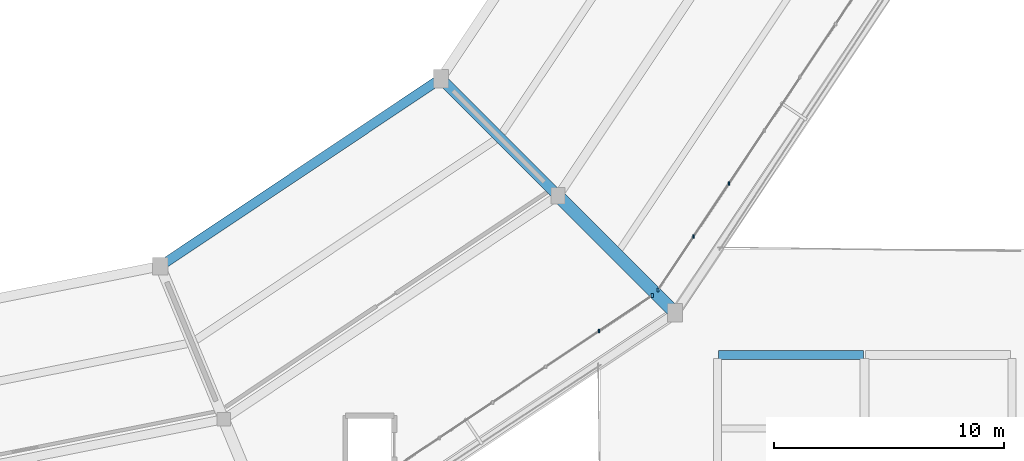
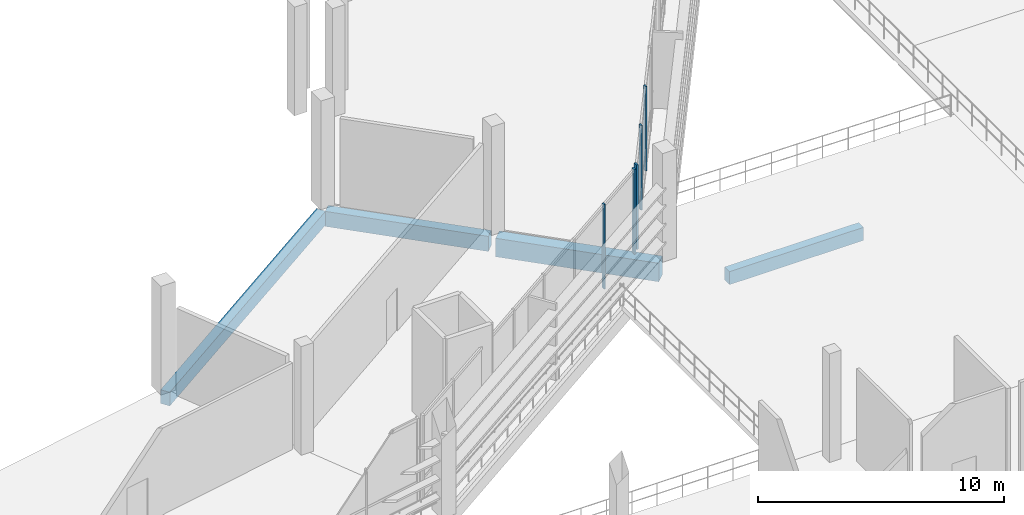
# One storey, part 36 of 111: 5 members, 4 beams, 2 elements without a shape of their own.
"""IFC4 building model written with IfcOpenShell, lengths in metres."""

from ifc_helpers import new_model, si_unit, direction, frame, origin, origin_2d, place, context, subcontext, project, spatial, rectangle, extrude, material, material_profile, profile_set, type_object, element, aggregate, save


model = new_model("IFC4")

# Units and contexts
model_context = context("Model", 3, precision=1e-05, world=origin(), true_north=direction((0.0, 1.0)))
body_context = subcontext(model_context, "Body", "Model", "MODEL_VIEW")
ifc_project = project(units=[si_unit("LENGTHUNIT", "METRE"), si_unit("AREAUNIT", "SQUARE_METRE"), si_unit("VOLUMEUNIT", "CUBIC_METRE"), si_unit("PLANEANGLEUNIT", "RADIAN"), si_unit("MASSUNIT", "GRAM", prefix="KILO")], contexts=[model_context])

# Site, building, storey
site_placement = place(None, origin())
site = spatial("IfcSite", under=ifc_project, at=site_placement, CompositionType="ELEMENT")
building_placement = place(site_placement, origin())
building = spatial("IfcBuilding", under=site, at=building_placement, Name="Candeia Ridge Stadium", CompositionType="ELEMENT")
storey_placement = place(building_placement, frame((0.0, 0.0, 16.199951171875)))
storey = spatial("IfcBuildingStorey", under=building, at=storey_placement, Name="L03", CompositionType="ELEMENT", Elevation=16.199951171875)

# Beam
ifc_material_1 = material(Name="Concrete C45/55", Category="concrete")
ifc_material_profile_1 = material_profile(ifc_material_1, rectangle(XDim=0.449951171875, YDim=0.75, at=origin_2d()), Name="RC450x750", Category="concrete")
ifc_profile_set_1 = profile_set([ifc_material_profile_1], Name="Concrete C45/55")
beam_type_1 = type_object("IfcBeamType", Name="Bowl Radial Girder RC450x750", PredefinedType="BEAM", material=ifc_profile_set_1)
beam_1_placement = place(storey_placement, frame((167.700439453125, 44.299560546875, -0.625), z_axis=(0.707106781187, -0.707106781187, 0.0), x_axis=(0.707106781187, 0.707106781187, 0.0)))
element("IfcBeam", 1, at=beam_1_placement, inside=storey, type_object=beam_type_1, Name="Bowl radial girder BM-L03-0535", PredefinedType="BEAM", context=body_context, shape_type="SweptSolid", body=[
    extrude(rectangle(XDim=0.449951171875, YDim=0.75, at=origin_2d()), origin(), (0.0, 0.0, 1.0), 6.8798828125),
])

# Curtain wall, member
ifc_material_2 = material(Name="Aluminium Anodized Warm Bronze", Category="aluminium")
curtain_wall_type = type_object("IfcCurtainWallType", Name="Concourse Recessed Unitised Curtain Wall", PredefinedType="NOTDEFINED", material=ifc_material_2)
curtain_wall_1_placement = place(storey_placement, origin())
curtain_wall_1 = element("IfcCurtainWall", 2, at=curtain_wall_1_placement, inside=storey, type_object=curtain_wall_type, Name="Unitised curtain wall CW-BWL-L03-26", PredefinedType="NOTDEFINED")
ifc_material_profile_2 = material_profile(ifc_material_2, rectangle(XDim=0.090087890625, YDim=0.179931640625, at=origin_2d()), Name="CWM-90x180", Category="aluminium")
ifc_profile_set_2 = profile_set([ifc_material_profile_2], Name="Aluminium Anodized Warm Bronze")
member_type_1 = type_object("IfcMemberType", Name="Curtain Wall Primary Mullion 90x180", PredefinedType="MULLION", material=ifc_profile_set_2)
member_1_placement = place(storey_placement, frame((176.771484375, 34.97900390625, 0.0), z_axis=(0.0, 0.0, 1.0), x_axis=(1.0, 0.0, 0.0)))
member_1 = element("IfcMember", 3, at=member_1_placement, type_object=member_type_1, Name="Curtain wall mullion CW-BWL-L03-26-M7", PredefinedType="MULLION", context=body_context, shape_type="SweptSolid", body=[
    extrude(rectangle(XDim=0.090087890625, YDim=0.179931640625, at=origin_2d()), origin(), (0.0, 0.0, 1.0), 4.205078125),
])

curtain_wall_2_placement = place(storey_placement, origin())
curtain_wall_2 = element("IfcCurtainWall", 4, at=curtain_wall_2_placement, inside=storey, type_object=curtain_wall_type, Name="Unitised curtain wall CW-BWL-L03-27", PredefinedType="NOTDEFINED")
member_2_placement = place(storey_placement, frame((177.02099609375, 35.228515625, 0.0), z_axis=(0.0, 0.0, 1.0), x_axis=(1.0, 0.0, 0.0)))
member_2 = element("IfcMember", 5, at=member_2_placement, type_object=member_type_1, Name="Curtain wall mullion CW-BWL-L03-27-M0", PredefinedType="MULLION", context=body_context, shape_type="SweptSolid", body=[
    extrude(rectangle(XDim=0.090087890625, YDim=0.179931640625, at=origin_2d()), origin(), (0.0, 0.0, 1.0), 4.205078125),
])

# Member
ifc_material_profile_3 = material_profile(ifc_material_2, rectangle(XDim=0.074951171875, YDim=0.14990234375, at=origin_2d()), Name="CWM-75x150", Category="aluminium")
ifc_profile_set_3 = profile_set([ifc_material_profile_3], Name="Aluminium Anodized Warm Bronze")
member_type_2 = type_object("IfcMemberType", Name="Curtain Wall Secondary Mullion 75x150", PredefinedType="MULLION", material=ifc_profile_set_3)
member_3_placement = place(storey_placement, frame((174.459716796875, 33.434326171875, 0.0), z_axis=(0.0, 0.0, 1.0), x_axis=(1.0, 0.0, 0.0)))
member_3 = element("IfcMember", 6, at=member_3_placement, type_object=member_type_2, Name="Curtain wall mullion CW-BWL-L03-26-M6", PredefinedType="MULLION", context=body_context, shape_type="SweptSolid", body=[
    extrude(rectangle(XDim=0.074951171875, YDim=0.14990234375, at=origin_2d()), origin(), (0.0, 0.0, 1.0), 4.205078125),
])

aggregate(curtain_wall_1, [member_3, member_1])

member_4_placement = place(storey_placement, frame((178.565673828125, 37.540283203125, 0.0), z_axis=(0.0, 0.0, 1.0), x_axis=(1.0, 0.0, 0.0)))
member_4 = element("IfcMember", 7, at=member_4_placement, type_object=member_type_2, Name="Curtain wall mullion CW-BWL-L03-27-M1", PredefinedType="MULLION", context=body_context, shape_type="SweptSolid", body=[
    extrude(rectangle(XDim=0.074951171875, YDim=0.14990234375, at=origin_2d()), origin(), (0.0, 0.0, 1.0), 4.205078125),
])

member_5_placement = place(storey_placement, frame((180.110107421875, 39.851806640625, 0.0), z_axis=(0.0, 0.0, 1.0), x_axis=(1.0, 0.0, 0.0)))
member_5 = element("IfcMember", 8, at=member_5_placement, type_object=member_type_2, Name="Curtain wall mullion CW-BWL-L03-27-M2", PredefinedType="MULLION", context=body_context, shape_type="SweptSolid", body=[
    extrude(rectangle(XDim=0.074951171875, YDim=0.14990234375, at=origin_2d()), origin(), (0.0, 0.0, 1.0), 4.205078125),
])

aggregate(curtain_wall_2, [member_2, member_4, member_5])

# Beams
ifc_material_3 = material(Name="Concrete C40/50", Category="concrete")
ifc_material_profile_4 = material_profile(ifc_material_3, rectangle(XDim=0.419921875, YDim=0.679931640625, at=origin_2d()), Name="RC420x680", Category="concrete")
ifc_profile_set_4 = profile_set([ifc_material_profile_4], Name="Concrete C40/50")
beam_type_2 = type_object("IfcBeamType", Name="Frame Girder RC420x680", PredefinedType="BEAM", material=ifc_profile_set_4)
beam_2_placement = place(storey_placement, frame((155.52197265625, 36.35107421875, -0.58984375), z_axis=(0.831466176057, 0.55557537569, 0.0), x_axis=(-0.55557537569, 0.831466176057, 0.0)))
element("IfcBeam", 9, at=beam_2_placement, inside=storey, type_object=beam_type_2, Name="Bowl inner ring girder BM-L03-0673", PredefinedType="BEAM", context=body_context, shape_type="SweptSolid", body=[
    extrude(rectangle(XDim=0.419921875, YDim=0.679931640625, at=origin_2d()), origin(), (0.0, 0.0, 1.0), 14.350830078125),
])
ifc_material_profile_5 = material_profile(ifc_material_1, rectangle(XDim=0.550048828125, YDim=0.919921875, at=origin_2d()), Name="RC550x920", Category="concrete")
ifc_profile_set_5 = profile_set([ifc_material_profile_5], Name="Concrete C45/55")
beam_type_3 = type_object("IfcBeamType", Name="Frame Girder RC550x920", PredefinedType="BEAM", material=ifc_profile_set_5)
beam_3_placement = place(storey_placement, frame((172.79150390625, 39.20849609375, -0.7099609375), z_axis=(0.707106781187, -0.707106781187, 0.0), x_axis=(0.707106781187, 0.707106781187, 0.0)))
element("IfcBeam", 10, at=beam_3_placement, inside=storey, type_object=beam_type_3, Name="Bowl radial girder BM-L03-0536", PredefinedType="BEAM", context=body_context, shape_type="SweptSolid", body=[
    extrude(rectangle(XDim=0.550048828125, YDim=0.919921875, at=origin_2d()), origin(), (0.0, 0.0, 1.0), 6.880126953125),
])
ifc_material_profile_6 = material_profile(ifc_material_3, rectangle(XDim=0.39990234375, YDim=0.64990234375, at=origin_2d()), Name="RC400x650", Category="concrete")
ifc_profile_set_6 = profile_set([ifc_material_profile_6], Name="Concrete C40/50")
beam_type_4 = type_object("IfcBeamType", Name="Wing Primary Girder RC400x650", PredefinedType="BEAM", material=ifc_profile_set_6)
beam_4_placement = place(storey_placement, frame((179.64990234375, 32.39990234375, -0.574951171875), z_axis=(1.0, 0.0, 0.0), x_axis=(0.0, 1.0, 0.0)))
element("IfcBeam", 11, at=beam_4_placement, inside=storey, type_object=beam_type_4, Name="Structural girder BM-L03-2426", PredefinedType="BEAM", context=body_context, shape_type="SweptSolid", body=[
    extrude(rectangle(XDim=0.39990234375, YDim=0.64990234375, at=origin_2d()), origin(), (0.0, 0.0, 1.0), 6.300048828125),
])

save(model, "model.ifc")
